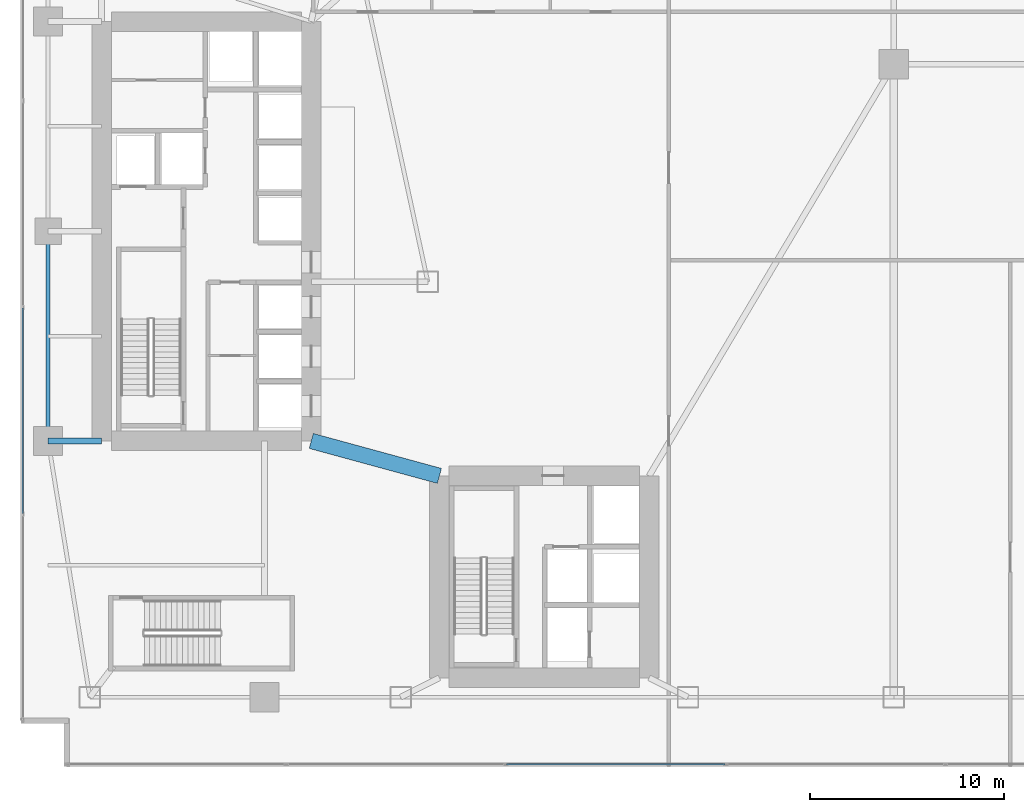
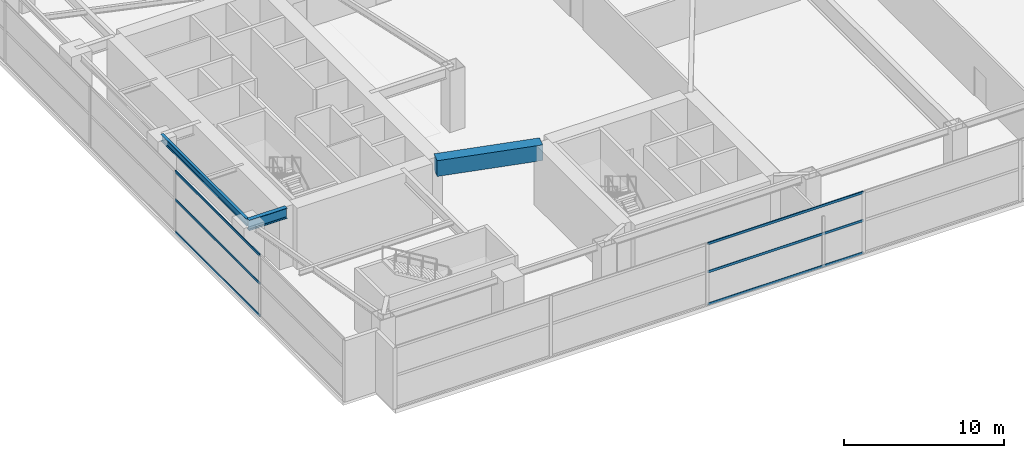
# One storey, part 8 of 35: 6 members, 3 beams, 2 elements without a shape of their own.
"""IFC4 building model written with IfcOpenShell, lengths in metres."""

from ifc_helpers import new_model, si_unit, direction, frame, origin, origin_2d, place, context, subcontext, project, spatial, rectangle, hollow_rectangle, i_section, extrude, material, layer, layer_set, material_profile, profile_set, type_object, element, aggregate, save


model = new_model("IFC4")

# Units and contexts
model_context = context("Model", 3, precision=1e-05, world=origin(), true_north=direction((0.0, 1.0)))
body_context = subcontext(model_context, "Body", "Model", "MODEL_VIEW")
ifc_project = project(units=[si_unit("LENGTHUNIT", "METRE"), si_unit("AREAUNIT", "SQUARE_METRE"), si_unit("VOLUMEUNIT", "CUBIC_METRE"), si_unit("PLANEANGLEUNIT", "RADIAN"), si_unit("MASSUNIT", "GRAM", prefix="KILO")], contexts=[model_context])

# Site, building, storey
site_placement = place(None, origin())
site = spatial("IfcSite", under=ifc_project, at=site_placement, CompositionType="ELEMENT")
building_placement = place(site_placement, origin())
building = spatial("IfcBuilding", under=site, at=building_placement, Name="Calvorn Quay Hotel", CompositionType="ELEMENT")
storey_placement = place(building_placement, frame((0.0, 0.0, 12.0)))
storey = spatial("IfcBuildingStorey", under=building, at=storey_placement, Name="L02", CompositionType="ELEMENT", Elevation=12.0)

# Beams
ifc_material_1 = material(Name="Steel Q390GJC", Category="steel")
ifc_material_profile_1 = material_profile(ifc_material_1, i_section(OverallWidth=0.300048828125, OverallDepth=0.800048828125, WebThickness=0.013916015625, FlangeThickness=0.02587890625, FilletRadius=0.02392578125, at=origin_2d()), Name="HN800x300x14x26")
ifc_profile_set_1 = profile_set([ifc_material_profile_1], Name="Steel Q390GJC")
beam_type_1 = type_object("IfcBeamType", Name="BM-GIRD-POD", PredefinedType="BEAM", material=ifc_profile_set_1)
beam_1_placement = place(storey_placement, frame((1.449951171875, 16.800048828125, 4.280029296875), z_axis=(1.0, 0.0, 0.0), x_axis=(0.0, 1.0, 0.0)))
element("IfcBeam", 1, at=beam_1_placement, inside=storey, type_object=beam_type_1, Name="Beam BG-L02-W1", PredefinedType="BEAM", context=body_context, shape_type="SweptSolid", body=[
    extrude(i_section(OverallWidth=0.300048828125, OverallDepth=0.800048828125, WebThickness=0.013916015625, FlangeThickness=0.02587890625, FilletRadius=0.02392578125, at=origin_2d()), origin(), (0.0, 0.0, 1.0), 2.75),
])
ifc_material_2 = material(Name="Concrete C60", Category="concrete")
ifc_material_profile_2 = material_profile(ifc_material_2, rectangle(XDim=0.800048828125, YDim=1.199951171875, at=origin_2d()), Name="RCB800x1200")
ifc_profile_set_2 = profile_set([ifc_material_profile_2], Name="Concrete C60")
beam_type_2 = type_object("IfcBeamType", Name="BM-RC-LINK-800x1200", PredefinedType="BEAM", material=ifc_profile_set_2)
beam_2_placement = place(storey_placement, frame((15.0, 16.800048828125, 4.080078125), z_axis=(0.964762997686, -0.263120425462, 0.0), x_axis=(0.263120425462, 0.964762997686, 0.0)))
element("IfcBeam", 2, at=beam_2_placement, inside=storey, type_object=beam_type_2, Name="Beam BCL-L02-01", PredefinedType="BEAM", context=body_context, shape_type="SweptSolid", body=[
    extrude(rectangle(XDim=0.800048828125, YDim=1.199951171875, at=origin_2d()), origin(), (0.0, 0.0, 1.0), 6.841064453125),
])
ifc_material_3 = material(Name="Steel Q355B", Category="steel")
ifc_material_profile_3 = material_profile(ifc_material_3, i_section(OverallWidth=0.199951171875, OverallDepth=0.5, WebThickness=0.010009765625, FlangeThickness=0.01611328125, FilletRadius=0.01611328125, at=origin_2d()), Name="HN500x200x10x16")
ifc_profile_set_3 = profile_set([ifc_material_profile_3], Name="Steel Q355B")
beam_type_3 = type_object("IfcBeamType", Name="BM-SPANDREL-Z1", PredefinedType="SPANDREL", material=ifc_profile_set_3)
beam_3_placement = place(storey_placement, frame((1.449951171875, 16.800048828125, 4.429931640625), z_axis=(0.0, 1.0, 0.0), x_axis=(-1.0, 0.0, 0.0)))
element("IfcBeam", 3, at=beam_3_placement, inside=storey, type_object=beam_type_3, Name="Beam BSP-L02-W2", PredefinedType="SPANDREL", context=body_context, shape_type="SweptSolid", body=[
    extrude(i_section(OverallWidth=0.199951171875, OverallDepth=0.5, WebThickness=0.010009765625, FlangeThickness=0.01611328125, FilletRadius=0.01611328125, at=origin_2d()), origin(), (0.0, 0.0, 1.0), 10.800048828125),
])

# Curtain wall, members
ifc_material_4 = material(Name="Pale Anodised Aluminium and Low-E Glass", Category="aluminium")
ifc_layer = layer(ifc_material_4, 0.219970703125)
ifc_layer_set = layer_set([ifc_layer], Name="CW-SYS-POD")
curtain_wall_type = type_object("IfcCurtainWallType", Name="CW-SYS-POD", PredefinedType="NOTDEFINED", material=ifc_layer_set)
curtain_wall_1_placement = place(storey_placement, origin())
curtain_wall_1 = element("IfcCurtainWall", 4, at=curtain_wall_1_placement, inside=storey, type_object=curtain_wall_type, Name="Podium Curtain Wall L02-S1", PredefinedType="NOTDEFINED")
ifc_material_5 = material(Name="Pale Anodised Aluminium 6063-T6", Category="aluminium")
ifc_material_profile_4 = material_profile(ifc_material_5, hollow_rectangle(XDim=0.070068359375, YDim=0.179931640625, WallThickness=0.00390625, at=origin_2d()), Name="ALU-T180x70x4")
ifc_profile_set_4 = profile_set([ifc_material_profile_4], Name="Pale Anodised Aluminium 6063-T6")
member_type = type_object("IfcMemberType", Name="CW-SYS-POD-TRN", PredefinedType="USERDEFINED", material=ifc_profile_set_4)
member_1_placement = place(storey_placement, frame((25.05859375, 0.14990234375, 0.030029296875), z_axis=(1.0, 0.0, 0.0), x_axis=(0.0, 1.0, 0.0)))
member_1 = element("IfcMember", 5, at=member_1_placement, type_object=member_type, Name="CW-L02-S1 transom 3.1", ObjectType="TRANSOM", PredefinedType="USERDEFINED", context=body_context, shape_type="SweptSolid", body=[
    extrude(hollow_rectangle(XDim=0.070068359375, YDim=0.179931640625, WallThickness=0.00390625, at=origin_2d()), origin(), (0.0, 0.0, 1.0), 11.254150390625),
])
member_2_placement = place(storey_placement, frame((25.05859375, 0.14990234375, 2.5), z_axis=(1.0, 0.0, 0.0), x_axis=(0.0, 1.0, 0.0)))
member_2 = element("IfcMember", 6, at=member_2_placement, type_object=member_type, Name="CW-L02-S1 transom 3.2", ObjectType="TRANSOM", PredefinedType="USERDEFINED", context=body_context, shape_type="SweptSolid", body=[
    extrude(hollow_rectangle(XDim=0.070068359375, YDim=0.179931640625, WallThickness=0.00390625, at=origin_2d()), origin(), (0.0, 0.0, 1.0), 11.254150390625),
])
member_3_placement = place(storey_placement, frame((25.05859375, 0.14990234375, 4.64990234375), z_axis=(1.0, 0.0, 0.0), x_axis=(0.0, 1.0, 0.0)))
member_3 = element("IfcMember", 7, at=member_3_placement, type_object=member_type, Name="CW-L02-S1 transom 3.3", ObjectType="TRANSOM", PredefinedType="USERDEFINED", context=body_context, shape_type="SweptSolid", body=[
    extrude(hollow_rectangle(XDim=0.070068359375, YDim=0.179931640625, WallThickness=0.00390625, at=origin_2d()), origin(), (0.0, 0.0, 1.0), 11.254150390625),
])
aggregate(curtain_wall_1, [member_1, member_2, member_3])

curtain_wall_2_placement = place(storey_placement, origin())
curtain_wall_2 = element("IfcCurtainWall", 8, at=curtain_wall_2_placement, inside=storey, type_object=curtain_wall_type, Name="Podium Curtain Wall L02-W1", PredefinedType="NOTDEFINED")
member_4_placement = place(storey_placement, frame((0.14990234375, 13.070068359375, 0.030029296875), z_axis=(0.0, 1.0, 0.0), x_axis=(-1.0, 0.0, 0.0)))
member_4 = element("IfcMember", 9, at=member_4_placement, type_object=member_type, Name="CW-L02-W1 transom 2.1", ObjectType="TRANSOM", PredefinedType="USERDEFINED", context=body_context, shape_type="SweptSolid", body=[
    extrude(hollow_rectangle(XDim=0.070068359375, YDim=0.179931640625, WallThickness=0.00390625, at=origin_2d()), origin(), (0.0, 0.0, 1.0), 10.579833984375),
])
member_5_placement = place(storey_placement, frame((0.14990234375, 13.070068359375, 2.5), z_axis=(0.0, 1.0, 0.0), x_axis=(-1.0, 0.0, 0.0)))
member_5 = element("IfcMember", 10, at=member_5_placement, type_object=member_type, Name="CW-L02-W1 transom 2.2", ObjectType="TRANSOM", PredefinedType="USERDEFINED", context=body_context, shape_type="SweptSolid", body=[
    extrude(hollow_rectangle(XDim=0.070068359375, YDim=0.179931640625, WallThickness=0.00390625, at=origin_2d()), origin(), (0.0, 0.0, 1.0), 10.579833984375),
])
member_6_placement = place(storey_placement, frame((0.14990234375, 13.070068359375, 4.64990234375), z_axis=(0.0, 1.0, 0.0), x_axis=(-1.0, 0.0, 0.0)))
member_6 = element("IfcMember", 11, at=member_6_placement, type_object=member_type, Name="CW-L02-W1 transom 2.3", ObjectType="TRANSOM", PredefinedType="USERDEFINED", context=body_context, shape_type="SweptSolid", body=[
    extrude(hollow_rectangle(XDim=0.070068359375, YDim=0.179931640625, WallThickness=0.00390625, at=origin_2d()), origin(), (0.0, 0.0, 1.0), 10.579833984375),
])
aggregate(curtain_wall_2, [member_4, member_5, member_6])

save(model, "model.ifc")
